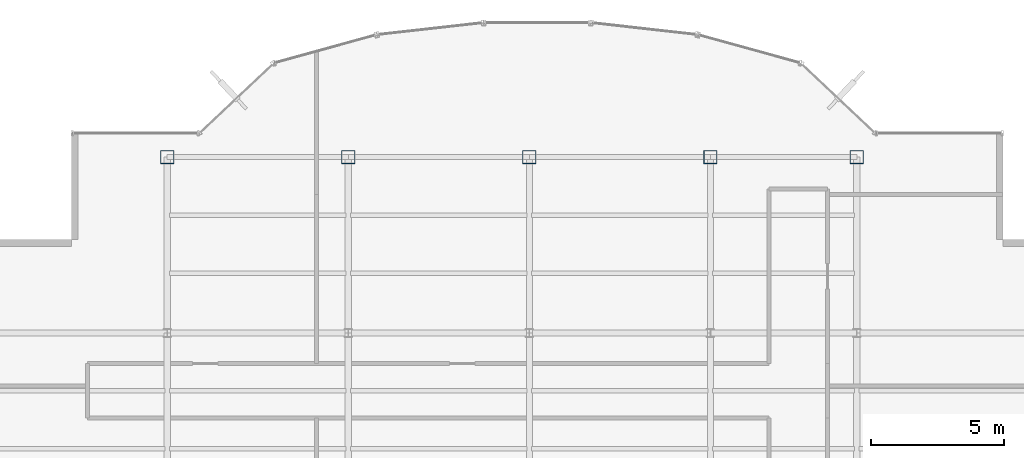
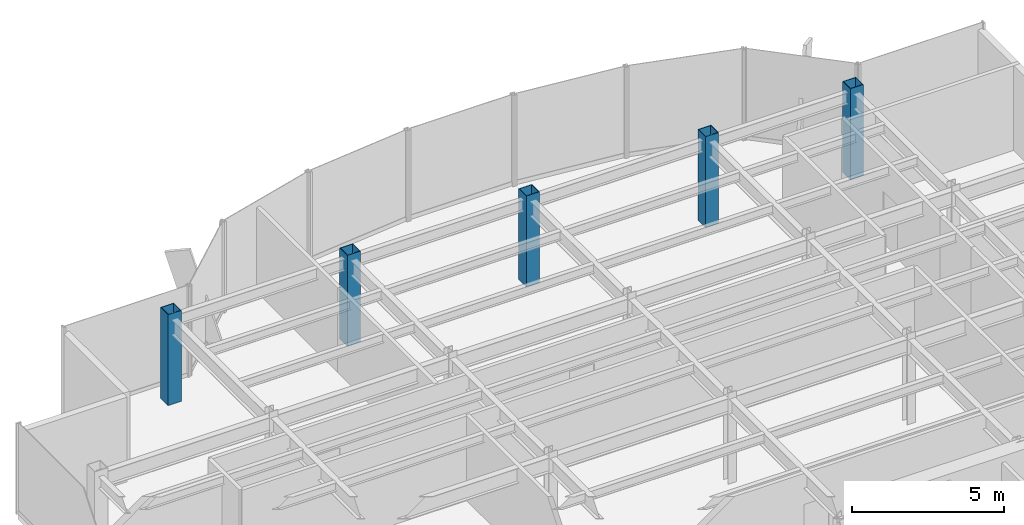
# One storey, part 2 of 22: 5 columns.
"""IFC4 building model written with IfcOpenShell, lengths in metres."""

from ifc_helpers import new_model, si_unit, derived_unit, direction, frame, origin, origin_2d, place, context, subcontext, project, spatial, hollow_rectangle, extrude, source, transform, mapped, material, material_profile, profile_set, type_object, element, save


model = new_model("IFC4")

# Units and contexts
model_context = context("Model", 3, precision=1e-05, world=origin(), true_north=direction((0.0, 1.0)))
body_context = subcontext(model_context, "Body", "Model", "MODEL_VIEW")
ifc_project = project(units=[si_unit("LENGTHUNIT", "METRE"), si_unit("AREAUNIT", "SQUARE_METRE"), si_unit("VOLUMEUNIT", "CUBIC_METRE"), si_unit("PLANEANGLEUNIT", "RADIAN"), si_unit("MASSUNIT", "GRAM", prefix="KILO"), derived_unit("THERMALTRANSMITTANCEUNIT", [(si_unit("POWERUNIT", "WATT"), 1), (si_unit("LENGTHUNIT", "METRE"), -2), (si_unit("THERMODYNAMICTEMPERATUREUNIT", "KELVIN"), -1)])], contexts=[model_context])

# Site, building, storey
site_placement = place(None, origin())
site = spatial("IfcSite", under=ifc_project, at=site_placement, CompositionType="ELEMENT")
building_placement = place(site_placement, origin())
building = spatial("IfcBuilding", under=site, at=building_placement, Name="Skarnbrae Concourse Arena and Tower", CompositionType="ELEMENT")
storey_placement = place(building_placement, frame((0.0, 0.0, 199.550048828125)))
storey = spatial("IfcBuildingStorey", under=building, at=storey_placement, Name="L51", CompositionType="ELEMENT", Elevation=199.550048828125)

# Columns
ifc_material = material(Name="Steel CSA G40.21 350W", Category="steel")
ifc_material_profile = material_profile(ifc_material, hollow_rectangle(XDim=0.5, YDim=0.5, WallThickness=0.02197265625, at=origin_2d()), Name="HSS500X500X22.0")
ifc_profile_set = profile_set([ifc_material_profile], Name="Steel CSA G40.21 350W")
column_type = type_object("IfcColumnType", Name="COL-TUBE-HSS500", PredefinedType="COLUMN", material=ifc_profile_set)
shared_shape = source(origin(), body_context, "Body", "SweptSolid", [
    extrude(hollow_rectangle(XDim=0.5, YDim=0.5, WallThickness=0.02197265625, at=origin_2d()), origin(), (0.0, 0.0, 1.0), 3.64990234375),
])
for number, where, z_axis, x_axis, name in (
    (1, (7.60009765625, 34.39990234375, 0.0), (0.0, 0.0, 1.0), (1.0, 0.0, 0.0), "L51 Tower column PC_02_05"),
    (2, (14.39990234375, 34.39990234375, 0.0), (0.0, 0.0, 1.0), (1.0, 0.0, 0.0), "L51 Tower column PC_03_05"),
    (3, (21.199951171875, 34.39990234375, 0.0), (0.0, 0.0, 1.0), (1.0, 0.0, 0.0), "L51 Tower column PC_04_05"),
    (4, (28.0, 34.39990234375, 0.0), (0.0, 0.0, 1.0), (1.0, 0.0, 0.0), "L51 Tower column PC_05_05"),
    (5, (33.5, 34.39990234375, 0.0), (0.0, 0.0, 1.0), (1.0, 0.0, 0.0), "L51 Tower column PC_06_05"),
):
    element("IfcColumn", number, at=place(storey_placement, frame(where, z_axis=z_axis, x_axis=x_axis)), inside=storey, type_object=column_type, Name=name, PredefinedType="COLUMN", context=body_context, shape_type="MappedRepresentation", body=[
        mapped(shared_shape, transform((0.0, 0.0, 0.0))),
    ])

save(model, "model.ifc")
